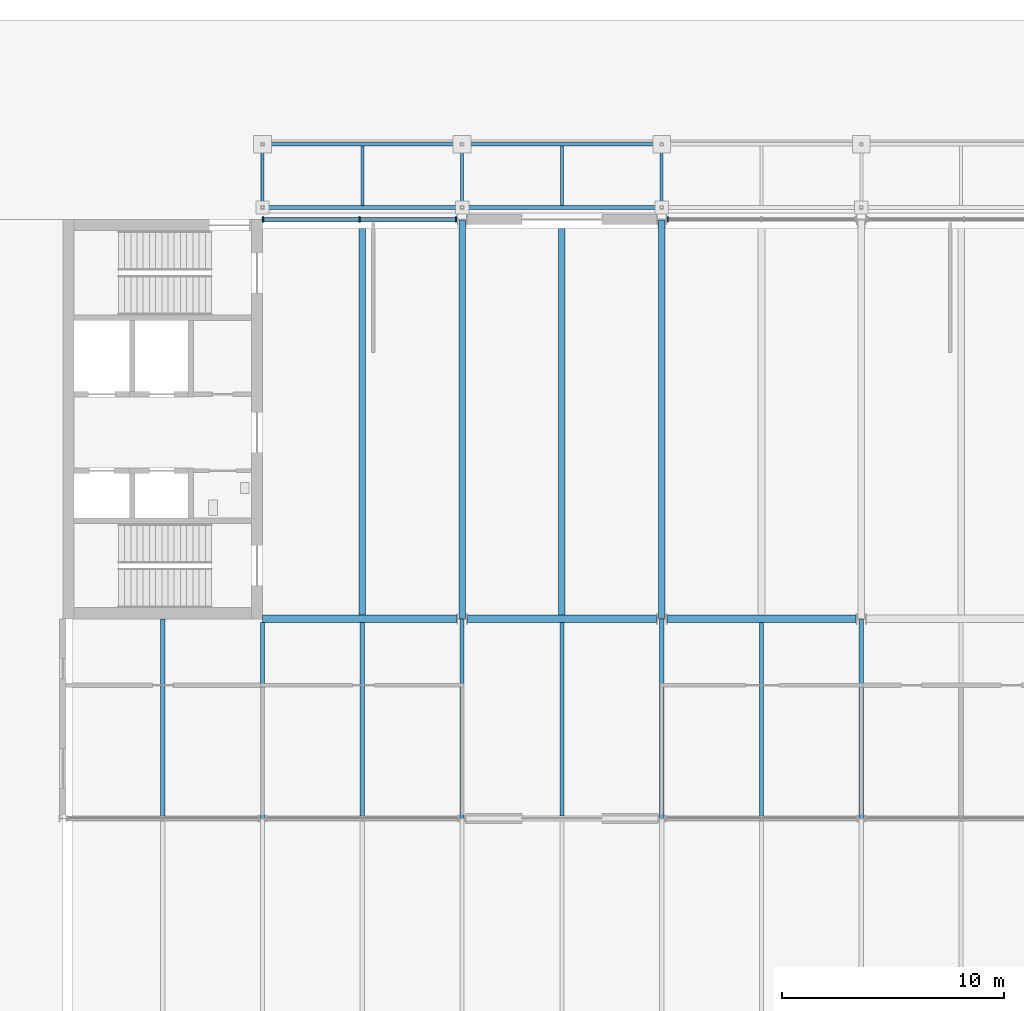
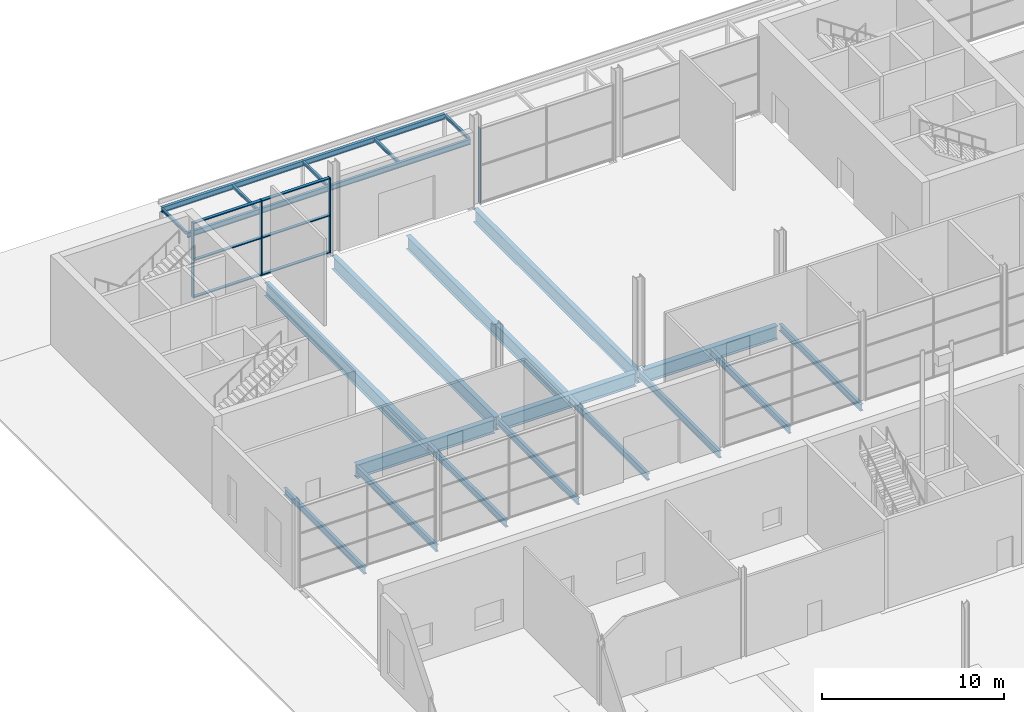
# One storey, part 41 of 97: 24 beams, 10 members, 2 elements without a shape of their own.
"""IFC4 building model written with IfcOpenShell, lengths in metres."""

from ifc_helpers import new_model, si_unit, direction, frame, origin, origin_2d, place, context, subcontext, project, spatial, rectangle, i_section, extrude, material, layer, layer_set, material_profile, profile_set, type_object, element, aggregate, save


model = new_model("IFC4")

# Units and contexts
model_context = context("Model", 3, precision=1e-05, world=origin(), true_north=direction((0.0, 1.0)))
body_context = subcontext(model_context, "Body", "Model", "MODEL_VIEW")
ifc_project = project(units=[si_unit("LENGTHUNIT", "METRE"), si_unit("AREAUNIT", "SQUARE_METRE"), si_unit("VOLUMEUNIT", "CUBIC_METRE"), si_unit("PLANEANGLEUNIT", "RADIAN"), si_unit("MASSUNIT", "GRAM", prefix="KILO")], contexts=[model_context])

# Site, building, storey
site_placement = place(None, origin())
site = spatial("IfcSite", under=ifc_project, at=site_placement, CompositionType="ELEMENT")
building_placement = place(site_placement, origin())
building = spatial("IfcBuilding", under=site, at=building_placement, Name="Corbel Yard City Hall", CompositionType="ELEMENT")
storey_placement = place(building_placement, origin())
storey = spatial("IfcBuildingStorey", under=building, at=storey_placement, Name="L00", CompositionType="ELEMENT", Elevation=0.0)

# Beams
ifc_material_1 = material(Name="Steel Grade 300 (300 MPa yield)", Category="steel")
ifc_material_profile_1 = material_profile(ifc_material_1, i_section(OverallWidth=0.133056640625, OverallDepth=0.201904296875, WebThickness=0.0048828125, FlangeThickness=0.007080078125, at=origin_2d()), Name="200UB22.3")
ifc_profile_set_1 = profile_set([ifc_material_profile_1], Name="Steel Grade 300 (300 MPa yield)")
beam_type_1 = type_object("IfcBeamType", Name="Awning Cross Beam 200UB22.3", PredefinedType="BEAM", material=ifc_profile_set_1)
for number, where, z_axis, x_axis, name in (
    (1, (9.0, 117.635498046875, 3.96484375), (0.0, 0.999922069115, -0.012484217941), (-1.0, 0.0, 0.0), "Awning Cross Beam 01"),
    (2, (13.5, 117.635498046875, 3.96484375), (0.0, 0.999922069115, -0.012484217941), (-1.0, 0.0, 0.0), "Awning Cross Beam 02"),
    (3, (18.0, 117.635498046875, 3.96484375), (0.0, 0.999922069115, -0.012484217941), (-1.0, 0.0, 0.0), "Awning Cross Beam 03"),
    (4, (22.5, 117.635498046875, 3.96484375), (0.0, 0.999922069115, -0.012484217941), (-1.0, 0.0, 0.0), "Awning Cross Beam 04"),
    (5, (27.0, 117.635498046875, 3.96484375), (0.0, 0.999922069115, -0.012484217941), (-1.0, 0.0, 0.0), "Awning Cross Beam 05"),
):
    element("IfcBeam", number, at=place(storey_placement, frame(where, z_axis=z_axis, x_axis=x_axis)), inside=storey, type_object=beam_type_1, Name=name, PredefinedType="BEAM", context=body_context, shape_type="SweptSolid", body=[
        extrude(i_section(OverallWidth=0.133056640625, OverallDepth=0.201904296875, WebThickness=0.0048828125, FlangeThickness=0.007080078125, at=origin_2d()), origin(), (0.0, 0.0, 1.0), 2.67919921875),
    ])
ifc_material_profile_2 = material_profile(ifc_material_1, i_section(OverallWidth=0.1708984375, OverallDepth=0.35205078125, WebThickness=0.0068359375, FlangeThickness=0.009765625, at=origin_2d()), Name="360UB44.7")
ifc_profile_set_2 = profile_set([ifc_material_profile_2], Name="Steel Grade 300 (300 MPa yield)")
beam_type_2 = type_object("IfcBeamType", Name="Awning Edge Beam 360UB44.7", PredefinedType="BEAM", material=ifc_profile_set_2)
for number, where, z_axis, x_axis, name in (
    (6, (9.0, 117.550048828125, 3.890869140625), (1.0, 0.0, 0.0), (0.0, 1.0, 0.0), "Awning Edge Beam B01"),
    (7, (18.0, 117.550048828125, 3.890869140625), (1.0, 0.0, 0.0), (0.0, 1.0, 0.0), "Awning Edge Beam B02"),
    (8, (9.0, 120.39990234375, 3.855224609375), (1.0, 0.0, 0.0), (0.0, 1.0, 0.0), "Awning Edge Beam F01"),
    (9, (18.0, 120.39990234375, 3.855224609375), (1.0, 0.0, 0.0), (0.0, 1.0, 0.0), "Awning Edge Beam F02"),
):
    element("IfcBeam", number, at=place(storey_placement, frame(where, z_axis=z_axis, x_axis=x_axis)), inside=storey, type_object=beam_type_2, Name=name, PredefinedType="BEAM", context=body_context, shape_type="SweptSolid", body=[
        extrude(i_section(OverallWidth=0.1708984375, OverallDepth=0.35205078125, WebThickness=0.0068359375, FlangeThickness=0.009765625, at=origin_2d()), origin(), (0.0, 0.0, 1.0), 9.0),
    ])
ifc_material_profile_3 = material_profile(ifc_material_1, i_section(OverallWidth=0.19091796875, OverallDepth=0.4599609375, WebThickness=0.010009765625, FlangeThickness=0.01611328125, at=origin_2d()), Name="460UB82.1")
ifc_profile_set_3 = profile_set([ifc_material_profile_3], Name="Steel Grade 300 (300 MPa yield)")
beam_type_3 = type_object("IfcBeamType", Name="Beam 460UB82.1", PredefinedType="BEAM", material=ifc_profile_set_3)
beam_1_placement = place(storey_placement, frame((9.0, 90.0078125, -0.47998046875), z_axis=(0.0, 1.0, 0.0), x_axis=(-1.0, 0.0, 0.0)))
element("IfcBeam", 10, at=beam_1_placement, inside=storey, type_object=beam_type_3, Name="Beam 460UB82.1 SB2 L00deck", PredefinedType="BEAM", context=body_context, shape_type="SweptSolid", body=[
    extrude(i_section(OverallWidth=0.19091796875, OverallDepth=0.4599609375, WebThickness=0.010009765625, FlangeThickness=0.01611328125, at=origin_2d()), origin(), (0.0, 0.0, 1.0), 8.817138671875),
])
for number, where, z_axis, x_axis, name in (
    (11, (18.0, 90.0078125, -0.47998046875), (0.0, 1.0, 0.0), (-1.0, 0.0, 0.0), "Beam 460UB82.1 SB2 L00deck"),
    (12, (27.0, 90.0078125, -0.47998046875), (0.0, 1.0, 0.0), (-1.0, 0.0, 0.0), "Beam 460UB82.1 SB2 L00deck"),
    (13, (36.0, 90.0078125, -0.47998046875), (0.0, 1.0, 0.0), (-1.0, 0.0, 0.0), "Beam 460UB82.1 SB2 L00deck"),
):
    element("IfcBeam", number, at=place(storey_placement, frame(where, z_axis=z_axis, x_axis=x_axis)), inside=storey, type_object=beam_type_3, Name=name, PredefinedType="BEAM", context=body_context, shape_type="SweptSolid", body=[
        extrude(i_section(OverallWidth=0.19091796875, OverallDepth=0.4599609375, WebThickness=0.010009765625, FlangeThickness=0.01611328125, at=origin_2d()), origin(), (0.0, 0.0, 1.0), 8.97216796875),
    ])
ifc_material_2 = material(Name="Steel Grade 350", Category="steel")
ifc_material_profile_4 = material_profile(ifc_material_2, i_section(OverallWidth=0.35009765625, OverallDepth=0.909912109375, WebThickness=0.011962890625, FlangeThickness=0.02490234375, at=origin_2d()), Name="900WB218")
ifc_profile_set_4 = profile_set([ifc_material_profile_4], Name="Steel Grade 350")
beam_type_4 = type_object("IfcBeamType", Name="Girder 900WB218", PredefinedType="BEAM", material=ifc_profile_set_4)
beam_2_placement = place(storey_placement, frame((9.0, 99.0, -0.705078125), z_axis=(1.0, 0.0, 0.0), x_axis=(0.0, 1.0, 0.0)))
element("IfcBeam", 14, at=beam_2_placement, inside=storey, type_object=beam_type_4, Name="Girder 900WB218 GB2 L00deck", PredefinedType="BEAM", context=body_context, shape_type="SweptSolid", body=[
    extrude(i_section(OverallWidth=0.35009765625, OverallDepth=0.909912109375, WebThickness=0.011962890625, FlangeThickness=0.02490234375, at=origin_2d()), origin(), (0.0, 0.0, 1.0), 8.760009765625),
])
for number, where, z_axis, x_axis, name in (
    (15, (18.239990234375, 99.0, -0.705078125), (1.0, 0.0, 0.0), (0.0, 1.0, 0.0), "Girder 900WB218 GB2 L00deck"),
    (16, (27.239990234375, 99.0, -0.705078125), (1.0, 0.0, 0.0), (0.0, 1.0, 0.0), "Girder 900WB218 GB2 L00deck"),
):
    element("IfcBeam", number, at=place(storey_placement, frame(where, z_axis=z_axis, x_axis=x_axis)), inside=storey, type_object=beam_type_4, Name=name, PredefinedType="BEAM", context=body_context, shape_type="SweptSolid", body=[
        extrude(i_section(OverallWidth=0.35009765625, OverallDepth=0.909912109375, WebThickness=0.011962890625, FlangeThickness=0.02490234375, at=origin_2d()), origin(), (0.0, 0.0, 1.0), 8.52001953125),
    ])
ifc_material_profile_5 = material_profile(ifc_material_2, i_section(OverallWidth=0.300048828125, OverallDepth=0.89990234375, WebThickness=0.011962890625, FlangeThickness=0.02001953125, at=origin_2d()), Name="900WB175")
ifc_profile_set_5 = profile_set([ifc_material_profile_5], Name="Steel Grade 350")
beam_type_5 = type_object("IfcBeamType", Name="Long-span beam 900WB175", PredefinedType="BEAM", material=ifc_profile_set_5)
for number, where, z_axis, x_axis, name in (
    (17, (18.0, 99.02001953125, -0.699951171875), (0.0, 1.0, 0.0), (-1.0, 0.0, 0.0), "Long-span beam 900WB175 SB4 L00deck"),
    (18, (27.0, 99.02001953125, -0.699951171875), (0.0, 1.0, 0.0), (-1.0, 0.0, 0.0), "Long-span beam 900WB175 SB4 L00deck"),
):
    element("IfcBeam", number, at=place(storey_placement, frame(where, z_axis=z_axis, x_axis=x_axis)), inside=storey, type_object=beam_type_5, Name=name, PredefinedType="BEAM", context=body_context, shape_type="SweptSolid", body=[
        extrude(i_section(OverallWidth=0.300048828125, OverallDepth=0.89990234375, WebThickness=0.011962890625, FlangeThickness=0.02001953125, at=origin_2d()), origin(), (0.0, 0.0, 1.0), 17.9599609375),
    ])
ifc_material_profile_6 = material_profile(ifc_material_2, i_section(OverallWidth=0.300048828125, OverallDepth=0.89990234375, WebThickness=0.011962890625, FlangeThickness=0.02001953125, at=origin_2d()), Name="900WB175")
ifc_profile_set_6 = profile_set([ifc_material_profile_6], Name="Steel Grade 350")
beam_type_6 = type_object("IfcBeamType", Name="Long-span secondary beam 900WB175", PredefinedType="JOIST", material=ifc_profile_set_6)
for number, where, z_axis, x_axis, name in (
    (19, (13.5, 99.175048828125, -0.699951171875), (0.0, 1.0, 0.0), (-1.0, 0.0, 0.0), "Long-span secondary beam 900WB175 SB3 L00deck"),
    (20, (22.5, 99.175048828125, -0.699951171875), (0.0, 1.0, 0.0), (-1.0, 0.0, 0.0), "Long-span secondary beam 900WB175 SB3 L00deck"),
):
    element("IfcBeam", number, at=place(storey_placement, frame(where, z_axis=z_axis, x_axis=x_axis)), inside=storey, type_object=beam_type_6, Name=name, PredefinedType="JOIST", context=body_context, shape_type="SweptSolid", body=[
        extrude(i_section(OverallWidth=0.300048828125, OverallDepth=0.89990234375, WebThickness=0.011962890625, FlangeThickness=0.02001953125, at=origin_2d()), origin(), (0.0, 0.0, 1.0), 17.425048828125),
    ])

# Curtain wall, members
ifc_material_3 = material(Name="Aluminium extrusion", Category="aluminium")
ifc_layer = layer(ifc_material_3, 0.25)
ifc_layer_set = layer_set([ifc_layer], Name="Aluminium extrusion")
curtain_wall_type = type_object("IfcCurtainWallType", Name="CW4", PredefinedType="USERDEFINED", material=ifc_layer_set)
curtain_wall_1_placement = place(storey_placement, origin())
curtain_wall_1 = element("IfcCurtainWall", 21, at=curtain_wall_1_placement, inside=storey, type_object=curtain_wall_type, Name="Curtain wall CW4 L00", ObjectType="CURTAIN WALL", PredefinedType="USERDEFINED")
ifc_material_profile_7 = material_profile(ifc_material_3, rectangle(XDim=0.25, YDim=0.06494140625, at=origin_2d()), Name="250x65")
ifc_profile_set_7 = profile_set([ifc_material_profile_7], Name="Aluminium extrusion")
member_type_1 = type_object("IfcMemberType", Name="ML4", PredefinedType="MULLION", material=ifc_profile_set_7)
member_1_placement = place(storey_placement, frame((9.032470703125, 117.0, 0.0), z_axis=(0.0, 0.0, 1.0), x_axis=(0.0, 1.0, 0.0)))
member_1 = element("IfcMember", 22, at=member_1_placement, type_object=member_type_1, Name="CW4 mullion 1", PredefinedType="MULLION", context=body_context, shape_type="SweptSolid", body=[
    extrude(rectangle(XDim=0.25, YDim=0.06494140625, at=origin_2d()), origin(), (0.0, 0.0, 1.0), 5.0400390625),
])
member_2_placement = place(storey_placement, frame((13.3798828125, 117.0, 0.0), z_axis=(0.0, 0.0, 1.0), x_axis=(0.0, 1.0, 0.0)))
member_2 = element("IfcMember", 23, at=member_2_placement, type_object=member_type_1, Name="CW4 mullion 2", PredefinedType="MULLION", context=body_context, shape_type="SweptSolid", body=[
    extrude(rectangle(XDim=0.25, YDim=0.06494140625, at=origin_2d()), origin(), (0.0, 0.0, 1.0), 5.0400390625),
])
member_3_placement = place(storey_placement, frame((17.7275390625, 117.0, 0.0), z_axis=(0.0, 0.0, 1.0), x_axis=(0.0, 1.0, 0.0)))
member_3 = element("IfcMember", 24, at=member_3_placement, type_object=member_type_1, Name="CW4 mullion 3", PredefinedType="MULLION", context=body_context, shape_type="SweptSolid", body=[
    extrude(rectangle(XDim=0.25, YDim=0.06494140625, at=origin_2d()), origin(), (0.0, 0.0, 1.0), 5.0400390625),
])

# Curtain wall, member
curtain_wall_2_placement = place(storey_placement, origin())
curtain_wall_2 = element("IfcCurtainWall", 25, at=curtain_wall_2_placement, inside=storey, type_object=curtain_wall_type, Name="Curtain wall CW4 L00", ObjectType="CURTAIN WALL", PredefinedType="USERDEFINED")
member_4_placement = place(storey_placement, frame((27.2724609375, 117.0, 0.0), z_axis=(0.0, 0.0, 1.0), x_axis=(0.0, 1.0, 0.0)))
member_4 = element("IfcMember", 26, at=member_4_placement, type_object=member_type_1, Name="CW4 mullion 1", PredefinedType="MULLION", context=body_context, shape_type="SweptSolid", body=[
    extrude(rectangle(XDim=0.25, YDim=0.06494140625, at=origin_2d()), origin(), (0.0, 0.0, 1.0), 5.0400390625),
])
aggregate(curtain_wall_2, [member_4])

# Beams
ifc_material_profile_8 = material_profile(ifc_material_1, i_section(OverallWidth=0.19091796875, OverallDepth=0.4599609375, WebThickness=0.010009765625, FlangeThickness=0.01611328125, at=origin_2d()), Name="460UB82.1")
ifc_profile_set_8 = profile_set([ifc_material_profile_8], Name="Steel Grade 300 (300 MPa yield)")
beam_type_7 = type_object("IfcBeamType", Name="Secondary beam 460UB82.1", PredefinedType="JOIST", material=ifc_profile_set_8)
beam_3_placement = place(storey_placement, frame((4.5, 90.114501953125, -0.47998046875), z_axis=(0.0, 1.0, 0.0), x_axis=(-1.0, 0.0, 0.0)))
element("IfcBeam", 27, at=beam_3_placement, inside=storey, type_object=beam_type_7, Name="Secondary beam 460UB82.1 SB1 L00deck", PredefinedType="JOIST", context=body_context, shape_type="SweptSolid", body=[
    extrude(i_section(OverallWidth=0.19091796875, OverallDepth=0.4599609375, WebThickness=0.010009765625, FlangeThickness=0.01611328125, at=origin_2d()), origin(), (0.0, 0.0, 1.0), 8.885498046875),
])
for number, where, z_axis, x_axis, name in (
    (28, (13.5, 90.114501953125, -0.47998046875), (0.0, 1.0, 0.0), (-1.0, 0.0, 0.0), "Secondary beam 460UB82.1 SB1 L00deck"),
    (29, (22.5, 90.114501953125, -0.47998046875), (0.0, 1.0, 0.0), (-1.0, 0.0, 0.0), "Secondary beam 460UB82.1 SB1 L00deck"),
    (30, (31.5, 90.114501953125, -0.47998046875), (0.0, 1.0, 0.0), (-1.0, 0.0, 0.0), "Secondary beam 460UB82.1 SB1 L00deck"),
):
    element("IfcBeam", number, at=place(storey_placement, frame(where, z_axis=z_axis, x_axis=x_axis)), inside=storey, type_object=beam_type_7, Name=name, PredefinedType="JOIST", context=body_context, shape_type="SweptSolid", body=[
        extrude(i_section(OverallWidth=0.19091796875, OverallDepth=0.4599609375, WebThickness=0.010009765625, FlangeThickness=0.01611328125, at=origin_2d()), origin(), (0.0, 0.0, 1.0), 8.71044921875),
    ])

# Member
ifc_material_profile_9 = material_profile(ifc_material_3, rectangle(XDim=0.199951171875, YDim=0.06494140625, at=origin_2d()), Name="200x65")
ifc_profile_set_9 = profile_set([ifc_material_profile_9], Name="Aluminium extrusion")
member_type_2 = type_object("IfcMemberType", Name="TR4", PredefinedType="USERDEFINED", material=ifc_profile_set_9)
member_5_placement = place(storey_placement, frame((9.06494140625, 117.0, 0.032470703125), z_axis=(1.0, 0.0, 0.0), x_axis=(0.0, 1.0, 0.0)))
member_5 = element("IfcMember", 31, at=member_5_placement, type_object=member_type_2, Name="CW4 transom 1.1", ObjectType="TRANSOM", PredefinedType="USERDEFINED", context=body_context, shape_type="SweptSolid", body=[
    extrude(rectangle(XDim=0.199951171875, YDim=0.06494140625, at=origin_2d()), origin(), (0.0, 0.0, 1.0), 4.282470703125),
])

member_6_placement = place(storey_placement, frame((9.06494140625, 117.0, 2.52001953125), z_axis=(1.0, 0.0, 0.0), x_axis=(0.0, 1.0, 0.0)))
member_6 = element("IfcMember", 32, at=member_6_placement, type_object=member_type_2, Name="CW4 transom 1.2", ObjectType="TRANSOM", PredefinedType="USERDEFINED", context=body_context, shape_type="SweptSolid", body=[
    extrude(rectangle(XDim=0.199951171875, YDim=0.06494140625, at=origin_2d()), origin(), (0.0, 0.0, 1.0), 4.282470703125),
])

member_7_placement = place(storey_placement, frame((9.06494140625, 117.0, 5.007568359375), z_axis=(1.0, 0.0, 0.0), x_axis=(0.0, 1.0, 0.0)))
member_7 = element("IfcMember", 33, at=member_7_placement, type_object=member_type_2, Name="CW4 transom 1.3", ObjectType="TRANSOM", PredefinedType="USERDEFINED", context=body_context, shape_type="SweptSolid", body=[
    extrude(rectangle(XDim=0.199951171875, YDim=0.06494140625, at=origin_2d()), origin(), (0.0, 0.0, 1.0), 4.282470703125),
])

member_8_placement = place(storey_placement, frame((13.41259765625, 117.0, 0.032470703125), z_axis=(1.0, 0.0, 0.0), x_axis=(0.0, 1.0, 0.0)))
member_8 = element("IfcMember", 34, at=member_8_placement, type_object=member_type_2, Name="CW4 transom 2.1", ObjectType="TRANSOM", PredefinedType="USERDEFINED", context=body_context, shape_type="SweptSolid", body=[
    extrude(rectangle(XDim=0.199951171875, YDim=0.06494140625, at=origin_2d()), origin(), (0.0, 0.0, 1.0), 4.282470703125),
])

member_9_placement = place(storey_placement, frame((13.41259765625, 117.0, 2.52001953125), z_axis=(1.0, 0.0, 0.0), x_axis=(0.0, 1.0, 0.0)))
member_9 = element("IfcMember", 35, at=member_9_placement, type_object=member_type_2, Name="CW4 transom 2.2", ObjectType="TRANSOM", PredefinedType="USERDEFINED", context=body_context, shape_type="SweptSolid", body=[
    extrude(rectangle(XDim=0.199951171875, YDim=0.06494140625, at=origin_2d()), origin(), (0.0, 0.0, 1.0), 4.282470703125),
])

member_10_placement = place(storey_placement, frame((13.41259765625, 117.0, 5.007568359375), z_axis=(1.0, 0.0, 0.0), x_axis=(0.0, 1.0, 0.0)))
member_10 = element("IfcMember", 36, at=member_10_placement, type_object=member_type_2, Name="CW4 transom 2.3", ObjectType="TRANSOM", PredefinedType="USERDEFINED", context=body_context, shape_type="SweptSolid", body=[
    extrude(rectangle(XDim=0.199951171875, YDim=0.06494140625, at=origin_2d()), origin(), (0.0, 0.0, 1.0), 4.282470703125),
])

aggregate(curtain_wall_1, [member_1, member_2, member_3, member_5, member_6, member_7, member_8, member_9, member_10])

save(model, "model.ifc")
